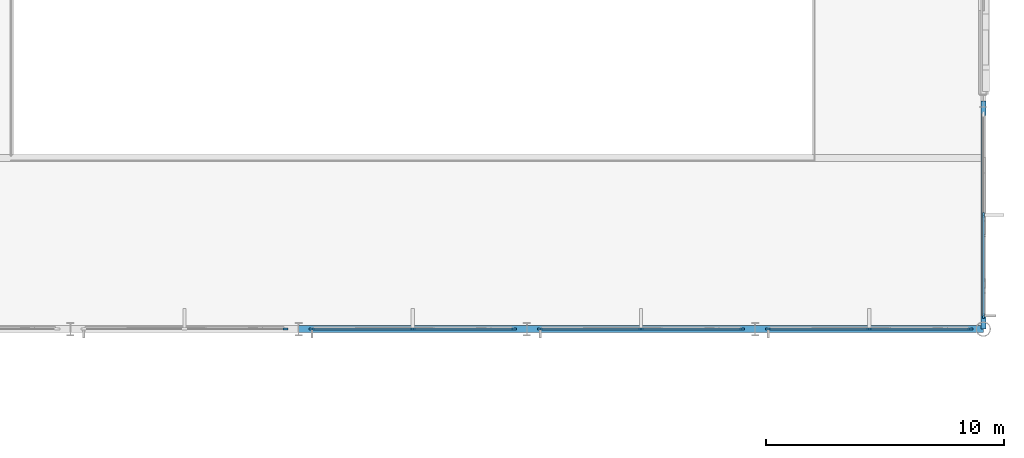
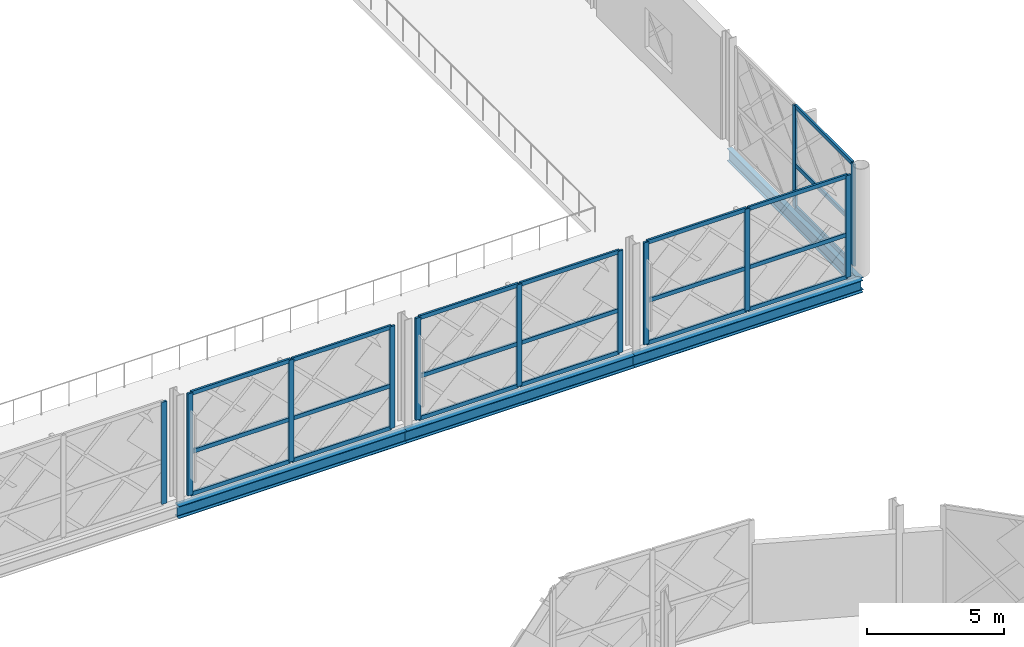
# One storey, part 35 of 77: 33 members, 4 beams, 5 elements without a shape of their own.
"""IFC4 building model written with IfcOpenShell, lengths in metres."""

from ifc_helpers import new_model, si_unit, direction, frame, origin, origin_2d, place, context, subcontext, project, spatial, rectangle, i_section, extrude, material, layer, layer_set, material_profile, profile_set, type_object, element, aggregate, save


model = new_model("IFC4")

# Units and contexts
model_context = context("Model", 3, precision=1e-05, world=origin(), true_north=direction((0.0, 1.0)))
body_context = subcontext(model_context, "Body", "Model", "MODEL_VIEW")
ifc_project = project(units=[si_unit("LENGTHUNIT", "METRE"), si_unit("AREAUNIT", "SQUARE_METRE"), si_unit("VOLUMEUNIT", "CUBIC_METRE"), si_unit("PLANEANGLEUNIT", "RADIAN"), si_unit("MASSUNIT", "GRAM", prefix="KILO")], contexts=[model_context])

# Site, building, storey
site_placement = place(None, origin())
site = spatial("IfcSite", under=ifc_project, at=site_placement, CompositionType="ELEMENT")
building_placement = place(site_placement, origin())
building = spatial("IfcBuilding", under=site, at=building_placement, Name="Zevrakil Square Congress Hotel", CompositionType="ELEMENT")
storey_placement = place(building_placement, frame((0.0, 0.0, 9.89990234375)))
storey = spatial("IfcBuildingStorey", under=building, at=storey_placement, Name="L03", CompositionType="ELEMENT", Elevation=9.89990234375)

# Beams
ifc_material_1 = material(Name="Steel S355", Category="steel")
ifc_material_profile_1 = material_profile(ifc_material_1, i_section(OverallWidth=0.300048828125, OverallDepth=0.5400390625, WebThickness=0.012451171875, FlangeThickness=0.02392578125, FilletRadius=0.027099609375, at=origin_2d()), Name="HEA 550")
ifc_profile_set_1 = profile_set([ifc_material_profile_1], Name="Steel S355")
beam_type_1 = type_object("IfcBeamType", Name="BM-HEA550", PredefinedType="BEAM", material=ifc_profile_set_1)
beam_1_placement = place(storey_placement, frame((136.800048828125, 64.800048828125, -0.52978515625), z_axis=(1.0, 0.0, 0.0), x_axis=(0.0, 1.0, 0.0)))
element("IfcBeam", 1, at=beam_1_placement, inside=storey, type_object=beam_type_1, Name="L03 primary girder BX-1042", PredefinedType="BEAM", context=body_context, shape_type="SweptSolid", body=[
    extrude(i_section(OverallWidth=0.300048828125, OverallDepth=0.5400390625, WebThickness=0.012451171875, FlangeThickness=0.02392578125, FilletRadius=0.027099609375, at=origin_2d()), origin(), (0.0, 0.0, 1.0), 9.599853515625),
])
for number, where, z_axis, x_axis, name in (
    (2, (146.39990234375, 64.800048828125, -0.52978515625), (1.0, 0.0, 0.0), (0.0, 1.0, 0.0), "L03 primary girder BX-1043"),
    (3, (156.0, 64.800048828125, -0.52978515625), (1.0, 0.0, 0.0), (0.0, 1.0, 0.0), "L03 primary girder BX-1044"),
):
    element("IfcBeam", number, at=place(storey_placement, frame(where, z_axis=z_axis, x_axis=x_axis)), inside=storey, type_object=beam_type_1, Name=name, PredefinedType="BEAM", context=body_context, shape_type="SweptSolid", body=[
        extrude(i_section(OverallWidth=0.300048828125, OverallDepth=0.5400390625, WebThickness=0.012451171875, FlangeThickness=0.02392578125, FilletRadius=0.027099609375, at=origin_2d()), origin(), (0.0, 0.0, 1.0), 9.60009765625),
    ])
ifc_material_2 = material(Name="Steel S355", Category="steel")
ifc_material_profile_2 = material_profile(ifc_material_2, i_section(OverallWidth=0.2099609375, OverallDepth=0.550048828125, WebThickness=0.010986328125, FlangeThickness=0.01708984375, FilletRadius=0.02392578125, at=origin_2d()), Name="IPE 550")
ifc_profile_set_2 = profile_set([ifc_material_profile_2], Name="Steel S355")
beam_type_2 = type_object("IfcBeamType", Name="BM-IPE550", PredefinedType="BEAM", material=ifc_profile_set_2)
beam_2_placement = place(storey_placement, frame((165.60009765625, 64.800048828125, -0.534912109375), z_axis=(0.0, 1.0, 0.0), x_axis=(-1.0, 0.0, 0.0)))
element("IfcBeam", 4, at=beam_2_placement, inside=storey, type_object=beam_type_2, Name="L03 primary girder BY-1187", PredefinedType="BEAM", context=body_context, shape_type="SweptSolid", body=[
    extrude(i_section(OverallWidth=0.2099609375, OverallDepth=0.550048828125, WebThickness=0.010986328125, FlangeThickness=0.01708984375, FilletRadius=0.02392578125, at=origin_2d()), origin(), (0.0, 0.0, 1.0), 9.599853515625),
])

# Curtain wall, members
ifc_material_3 = material(Name="Aluminium Anodised Bronze", Category="aluminium")
ifc_layer = layer(ifc_material_3, 0.179931640625)
ifc_layer_set = layer_set([ifc_layer], Name="Aluminium Anodised Bronze")
curtain_wall_type = type_object("IfcCurtainWallType", Name="CW-L03-840", PredefinedType="USERDEFINED", material=ifc_layer_set)
curtain_wall_1_placement = place(storey_placement, origin())
curtain_wall_1 = element("IfcCurtainWall", 5, at=curtain_wall_1_placement, inside=storey, type_object=curtain_wall_type, Name="L03 diamond curtain wall CW-L03-0050", ObjectType="GLAZED CURTAIN WALL", PredefinedType="USERDEFINED")
ifc_material_4 = material(Name="Aluminium Anodised Bronze", Category="aluminium")
ifc_material_profile_3 = material_profile(ifc_material_4, rectangle(XDim=0.0849609375, YDim=0.179931640625, at=origin_2d()), Name="ALU 85x180")
ifc_profile_set_3 = profile_set([ifc_material_profile_3], Name="Aluminium Anodised Bronze")
member_type_1 = type_object("IfcMemberType", Name="CWM-ALU85x180", PredefinedType="USERDEFINED", material=ifc_profile_set_3)
member_1_placement = place(storey_placement, frame((165.60009765625, 65.3798828125, 0.030029296875), z_axis=(0.0, 1.0, 0.0), x_axis=(-1.0, 0.0, 0.0)))
member_1 = element("IfcMember", 6, at=member_1_placement, type_object=member_type_1, Name="CW-35 transom 1.1", ObjectType="TRANSOM", PredefinedType="USERDEFINED", context=body_context, shape_type="SweptSolid", body=[
    extrude(rectangle(XDim=0.0849609375, YDim=0.179931640625, at=origin_2d()), origin(), (0.0, 0.0, 1.0), 4.190185546875),
])
member_2_placement = place(storey_placement, frame((165.60009765625, 65.3798828125, 1.906982421875), z_axis=(0.0, 1.0, 0.0), x_axis=(-1.0, 0.0, 0.0)))
member_2 = element("IfcMember", 7, at=member_2_placement, type_object=member_type_1, Name="CW-35 transom 1.2", ObjectType="TRANSOM", PredefinedType="USERDEFINED", context=body_context, shape_type="SweptSolid", body=[
    extrude(rectangle(XDim=0.0849609375, YDim=0.179931640625, at=origin_2d()), origin(), (0.0, 0.0, 1.0), 4.190185546875),
])
member_3_placement = place(storey_placement, frame((165.60009765625, 65.3798828125, 4.510009765625), z_axis=(0.0, 1.0, 0.0), x_axis=(-1.0, 0.0, 0.0)))
member_3 = element("IfcMember", 8, at=member_3_placement, type_object=member_type_1, Name="CW-35 transom 1.3", ObjectType="TRANSOM", PredefinedType="USERDEFINED", context=body_context, shape_type="SweptSolid", body=[
    extrude(rectangle(XDim=0.0849609375, YDim=0.179931640625, at=origin_2d()), origin(), (0.0, 0.0, 1.0), 4.190185546875),
])

curtain_wall_2_placement = place(storey_placement, origin())
curtain_wall_2 = element("IfcCurtainWall", 9, at=curtain_wall_2_placement, inside=storey, type_object=curtain_wall_type, Name="L03 diamond curtain wall CW-L03-0062", ObjectType="GLAZED CURTAIN WALL", PredefinedType="USERDEFINED")
member_4_placement = place(storey_placement, frame((137.3798828125, 64.800048828125, 0.030029296875), z_axis=(1.0, 0.0, 0.0), x_axis=(0.0, 1.0, 0.0)))
member_4 = element("IfcMember", 10, at=member_4_placement, type_object=member_type_1, Name="CW-35 transom 1.1", ObjectType="TRANSOM", PredefinedType="USERDEFINED", context=body_context, shape_type="SweptSolid", body=[
    extrude(rectangle(XDim=0.0849609375, YDim=0.179931640625, at=origin_2d()), origin(), (0.0, 0.0, 1.0), 4.190185546875),
])
member_5_placement = place(storey_placement, frame((137.3798828125, 64.800048828125, 1.906982421875), z_axis=(1.0, 0.0, 0.0), x_axis=(0.0, 1.0, 0.0)))
member_5 = element("IfcMember", 11, at=member_5_placement, type_object=member_type_1, Name="CW-35 transom 1.2", ObjectType="TRANSOM", PredefinedType="USERDEFINED", context=body_context, shape_type="SweptSolid", body=[
    extrude(rectangle(XDim=0.0849609375, YDim=0.179931640625, at=origin_2d()), origin(), (0.0, 0.0, 1.0), 4.190185546875),
])
member_6_placement = place(storey_placement, frame((137.3798828125, 64.800048828125, 4.510009765625), z_axis=(1.0, 0.0, 0.0), x_axis=(0.0, 1.0, 0.0)))
member_6 = element("IfcMember", 12, at=member_6_placement, type_object=member_type_1, Name="CW-35 transom 1.3", ObjectType="TRANSOM", PredefinedType="USERDEFINED", context=body_context, shape_type="SweptSolid", body=[
    extrude(rectangle(XDim=0.0849609375, YDim=0.179931640625, at=origin_2d()), origin(), (0.0, 0.0, 1.0), 4.190185546875),
])
member_7_placement = place(storey_placement, frame((141.6298828125, 64.800048828125, 0.030029296875), z_axis=(1.0, 0.0, 0.0), x_axis=(0.0, 1.0, 0.0)))
member_7 = element("IfcMember", 13, at=member_7_placement, type_object=member_type_1, Name="CW-35 transom 2.1", ObjectType="TRANSOM", PredefinedType="USERDEFINED", context=body_context, shape_type="SweptSolid", body=[
    extrude(rectangle(XDim=0.0849609375, YDim=0.179931640625, at=origin_2d()), origin(), (0.0, 0.0, 1.0), 4.190185546875),
])
member_8_placement = place(storey_placement, frame((141.6298828125, 64.800048828125, 1.906982421875), z_axis=(1.0, 0.0, 0.0), x_axis=(0.0, 1.0, 0.0)))
member_8 = element("IfcMember", 14, at=member_8_placement, type_object=member_type_1, Name="CW-35 transom 2.2", ObjectType="TRANSOM", PredefinedType="USERDEFINED", context=body_context, shape_type="SweptSolid", body=[
    extrude(rectangle(XDim=0.0849609375, YDim=0.179931640625, at=origin_2d()), origin(), (0.0, 0.0, 1.0), 4.190185546875),
])
member_9_placement = place(storey_placement, frame((141.6298828125, 64.800048828125, 4.510009765625), z_axis=(1.0, 0.0, 0.0), x_axis=(0.0, 1.0, 0.0)))
member_9 = element("IfcMember", 15, at=member_9_placement, type_object=member_type_1, Name="CW-35 transom 2.3", ObjectType="TRANSOM", PredefinedType="USERDEFINED", context=body_context, shape_type="SweptSolid", body=[
    extrude(rectangle(XDim=0.0849609375, YDim=0.179931640625, at=origin_2d()), origin(), (0.0, 0.0, 1.0), 4.190185546875),
])

curtain_wall_3_placement = place(storey_placement, origin())
curtain_wall_3 = element("IfcCurtainWall", 16, at=curtain_wall_3_placement, inside=storey, type_object=curtain_wall_type, Name="L03 diamond curtain wall CW-L03-0064", ObjectType="GLAZED CURTAIN WALL", PredefinedType="USERDEFINED")
member_10_placement = place(storey_placement, frame((146.97998046875, 64.800048828125, 0.030029296875), z_axis=(1.0, 0.0, 0.0), x_axis=(0.0, 1.0, 0.0)))
member_10 = element("IfcMember", 17, at=member_10_placement, type_object=member_type_1, Name="CW-35 transom 1.1", ObjectType="TRANSOM", PredefinedType="USERDEFINED", context=body_context, shape_type="SweptSolid", body=[
    extrude(rectangle(XDim=0.0849609375, YDim=0.179931640625, at=origin_2d()), origin(), (0.0, 0.0, 1.0), 4.18994140625),
])
member_11_placement = place(storey_placement, frame((146.97998046875, 64.800048828125, 1.906982421875), z_axis=(1.0, 0.0, 0.0), x_axis=(0.0, 1.0, 0.0)))
member_11 = element("IfcMember", 18, at=member_11_placement, type_object=member_type_1, Name="CW-35 transom 1.2", ObjectType="TRANSOM", PredefinedType="USERDEFINED", context=body_context, shape_type="SweptSolid", body=[
    extrude(rectangle(XDim=0.0849609375, YDim=0.179931640625, at=origin_2d()), origin(), (0.0, 0.0, 1.0), 4.18994140625),
])
member_12_placement = place(storey_placement, frame((146.97998046875, 64.800048828125, 4.510009765625), z_axis=(1.0, 0.0, 0.0), x_axis=(0.0, 1.0, 0.0)))
member_12 = element("IfcMember", 19, at=member_12_placement, type_object=member_type_1, Name="CW-35 transom 1.3", ObjectType="TRANSOM", PredefinedType="USERDEFINED", context=body_context, shape_type="SweptSolid", body=[
    extrude(rectangle(XDim=0.0849609375, YDim=0.179931640625, at=origin_2d()), origin(), (0.0, 0.0, 1.0), 4.18994140625),
])
member_13_placement = place(storey_placement, frame((151.22998046875, 64.800048828125, 0.030029296875), z_axis=(1.0, 0.0, 0.0), x_axis=(0.0, 1.0, 0.0)))
member_13 = element("IfcMember", 20, at=member_13_placement, type_object=member_type_1, Name="CW-35 transom 2.1", ObjectType="TRANSOM", PredefinedType="USERDEFINED", context=body_context, shape_type="SweptSolid", body=[
    extrude(rectangle(XDim=0.0849609375, YDim=0.179931640625, at=origin_2d()), origin(), (0.0, 0.0, 1.0), 4.18994140625),
])
member_14_placement = place(storey_placement, frame((151.22998046875, 64.800048828125, 1.906982421875), z_axis=(1.0, 0.0, 0.0), x_axis=(0.0, 1.0, 0.0)))
member_14 = element("IfcMember", 21, at=member_14_placement, type_object=member_type_1, Name="CW-35 transom 2.2", ObjectType="TRANSOM", PredefinedType="USERDEFINED", context=body_context, shape_type="SweptSolid", body=[
    extrude(rectangle(XDim=0.0849609375, YDim=0.179931640625, at=origin_2d()), origin(), (0.0, 0.0, 1.0), 4.18994140625),
])
member_15_placement = place(storey_placement, frame((151.22998046875, 64.800048828125, 4.510009765625), z_axis=(1.0, 0.0, 0.0), x_axis=(0.0, 1.0, 0.0)))
member_15 = element("IfcMember", 22, at=member_15_placement, type_object=member_type_1, Name="CW-35 transom 2.3", ObjectType="TRANSOM", PredefinedType="USERDEFINED", context=body_context, shape_type="SweptSolid", body=[
    extrude(rectangle(XDim=0.0849609375, YDim=0.179931640625, at=origin_2d()), origin(), (0.0, 0.0, 1.0), 4.18994140625),
])

curtain_wall_4_placement = place(storey_placement, origin())
curtain_wall_4 = element("IfcCurtainWall", 23, at=curtain_wall_4_placement, inside=storey, type_object=curtain_wall_type, Name="L03 diamond curtain wall CW-L03-0066", ObjectType="GLAZED CURTAIN WALL", PredefinedType="USERDEFINED")
member_16_placement = place(storey_placement, frame((156.580078125, 64.800048828125, 0.030029296875), z_axis=(1.0, 0.0, 0.0), x_axis=(0.0, 1.0, 0.0)))
member_16 = element("IfcMember", 24, at=member_16_placement, type_object=member_type_1, Name="CW-35 transom 1.1", ObjectType="TRANSOM", PredefinedType="USERDEFINED", context=body_context, shape_type="SweptSolid", body=[
    extrude(rectangle(XDim=0.0849609375, YDim=0.179931640625, at=origin_2d()), origin(), (0.0, 0.0, 1.0), 4.18994140625),
])
member_17_placement = place(storey_placement, frame((156.580078125, 64.800048828125, 1.906982421875), z_axis=(1.0, 0.0, 0.0), x_axis=(0.0, 1.0, 0.0)))
member_17 = element("IfcMember", 25, at=member_17_placement, type_object=member_type_1, Name="CW-35 transom 1.2", ObjectType="TRANSOM", PredefinedType="USERDEFINED", context=body_context, shape_type="SweptSolid", body=[
    extrude(rectangle(XDim=0.0849609375, YDim=0.179931640625, at=origin_2d()), origin(), (0.0, 0.0, 1.0), 4.18994140625),
])
member_18_placement = place(storey_placement, frame((156.580078125, 64.800048828125, 4.510009765625), z_axis=(1.0, 0.0, 0.0), x_axis=(0.0, 1.0, 0.0)))
member_18 = element("IfcMember", 26, at=member_18_placement, type_object=member_type_1, Name="CW-35 transom 1.3", ObjectType="TRANSOM", PredefinedType="USERDEFINED", context=body_context, shape_type="SweptSolid", body=[
    extrude(rectangle(XDim=0.0849609375, YDim=0.179931640625, at=origin_2d()), origin(), (0.0, 0.0, 1.0), 4.18994140625),
])
member_19_placement = place(storey_placement, frame((160.830078125, 64.800048828125, 0.030029296875), z_axis=(1.0, 0.0, 0.0), x_axis=(0.0, 1.0, 0.0)))
member_19 = element("IfcMember", 27, at=member_19_placement, type_object=member_type_1, Name="CW-35 transom 2.1", ObjectType="TRANSOM", PredefinedType="USERDEFINED", context=body_context, shape_type="SweptSolid", body=[
    extrude(rectangle(XDim=0.0849609375, YDim=0.179931640625, at=origin_2d()), origin(), (0.0, 0.0, 1.0), 4.18994140625),
])
member_20_placement = place(storey_placement, frame((160.830078125, 64.800048828125, 1.906982421875), z_axis=(1.0, 0.0, 0.0), x_axis=(0.0, 1.0, 0.0)))
member_20 = element("IfcMember", 28, at=member_20_placement, type_object=member_type_1, Name="CW-35 transom 2.2", ObjectType="TRANSOM", PredefinedType="USERDEFINED", context=body_context, shape_type="SweptSolid", body=[
    extrude(rectangle(XDim=0.0849609375, YDim=0.179931640625, at=origin_2d()), origin(), (0.0, 0.0, 1.0), 4.18994140625),
])
member_21_placement = place(storey_placement, frame((160.830078125, 64.800048828125, 4.510009765625), z_axis=(1.0, 0.0, 0.0), x_axis=(0.0, 1.0, 0.0)))
member_21 = element("IfcMember", 29, at=member_21_placement, type_object=member_type_1, Name="CW-35 transom 2.3", ObjectType="TRANSOM", PredefinedType="USERDEFINED", context=body_context, shape_type="SweptSolid", body=[
    extrude(rectangle(XDim=0.0849609375, YDim=0.179931640625, at=origin_2d()), origin(), (0.0, 0.0, 1.0), 4.18994140625),
])

# Member
ifc_material_5 = material(Name="Aluminium Anodised Bronze", Category="aluminium")
ifc_material_profile_4 = material_profile(ifc_material_5, rectangle(XDim=0.0849609375, YDim=0.219970703125, at=origin_2d()), Name="ALU 85x220")
ifc_profile_set_4 = profile_set([ifc_material_profile_4], Name="Aluminium Anodised Bronze")
member_type_2 = type_object("IfcMemberType", Name="CWM-ALU85x220", PredefinedType="MULLION", material=ifc_profile_set_4)
member_22_placement = place(storey_placement, frame((165.60009765625, 65.35009765625, 0.0), z_axis=(0.0, 0.0, 1.0), x_axis=(-1.0, 0.0, 0.0)))
member_22 = element("IfcMember", 30, at=member_22_placement, type_object=member_type_2, Name="CW-35 mullion 1", PredefinedType="MULLION", context=body_context, shape_type="SweptSolid", body=[
    extrude(rectangle(XDim=0.0849609375, YDim=0.219970703125, at=origin_2d()), origin(), (0.0, 0.0, 1.0), 4.5400390625),
])

member_23_placement = place(storey_placement, frame((165.60009765625, 69.60009765625, 0.0), z_axis=(0.0, 0.0, 1.0), x_axis=(-1.0, 0.0, 0.0)))
member_23 = element("IfcMember", 31, at=member_23_placement, type_object=member_type_2, Name="CW-35 mullion 2", PredefinedType="MULLION", context=body_context, shape_type="SweptSolid", body=[
    extrude(rectangle(XDim=0.0849609375, YDim=0.219970703125, at=origin_2d()), origin(), (0.0, 0.0, 1.0), 4.5400390625),
])

aggregate(curtain_wall_1, [member_22, member_23, member_1, member_2, member_3])

# Curtain wall, member
curtain_wall_5_placement = place(storey_placement, origin())
curtain_wall_5 = element("IfcCurtainWall", 32, at=curtain_wall_5_placement, inside=storey, type_object=curtain_wall_type, Name="L03 diamond curtain wall CW-L03-0060", ObjectType="GLAZED CURTAIN WALL", PredefinedType="USERDEFINED")
member_24_placement = place(storey_placement, frame((136.25, 64.800048828125, 0.0), z_axis=(0.0, 0.0, 1.0), x_axis=(0.0, 1.0, 0.0)))
member_24 = element("IfcMember", 33, at=member_24_placement, type_object=member_type_2, Name="CW-35 mullion 3", PredefinedType="MULLION", context=body_context, shape_type="SweptSolid", body=[
    extrude(rectangle(XDim=0.0849609375, YDim=0.219970703125, at=origin_2d()), origin(), (0.0, 0.0, 1.0), 4.5400390625),
])
aggregate(curtain_wall_5, [member_24])

# Member
member_25_placement = place(storey_placement, frame((137.35009765625, 64.800048828125, 0.0), z_axis=(0.0, 0.0, 1.0), x_axis=(0.0, 1.0, 0.0)))
member_25 = element("IfcMember", 34, at=member_25_placement, type_object=member_type_2, Name="CW-35 mullion 1", PredefinedType="MULLION", context=body_context, shape_type="SweptSolid", body=[
    extrude(rectangle(XDim=0.0849609375, YDim=0.219970703125, at=origin_2d()), origin(), (0.0, 0.0, 1.0), 4.5400390625),
])

member_26_placement = place(storey_placement, frame((141.60009765625, 64.800048828125, 0.0), z_axis=(0.0, 0.0, 1.0), x_axis=(0.0, 1.0, 0.0)))
member_26 = element("IfcMember", 35, at=member_26_placement, type_object=member_type_2, Name="CW-35 mullion 2", PredefinedType="MULLION", context=body_context, shape_type="SweptSolid", body=[
    extrude(rectangle(XDim=0.0849609375, YDim=0.219970703125, at=origin_2d()), origin(), (0.0, 0.0, 1.0), 4.5400390625),
])

member_27_placement = place(storey_placement, frame((145.85009765625, 64.800048828125, 0.0), z_axis=(0.0, 0.0, 1.0), x_axis=(0.0, 1.0, 0.0)))
member_27 = element("IfcMember", 36, at=member_27_placement, type_object=member_type_2, Name="CW-35 mullion 3", PredefinedType="MULLION", context=body_context, shape_type="SweptSolid", body=[
    extrude(rectangle(XDim=0.0849609375, YDim=0.219970703125, at=origin_2d()), origin(), (0.0, 0.0, 1.0), 4.5400390625),
])

aggregate(curtain_wall_2, [member_25, member_26, member_27, member_4, member_5, member_6, member_7, member_8, member_9])

member_28_placement = place(storey_placement, frame((146.949951171875, 64.800048828125, 0.0), z_axis=(0.0, 0.0, 1.0), x_axis=(0.0, 1.0, 0.0)))
member_28 = element("IfcMember", 37, at=member_28_placement, type_object=member_type_2, Name="CW-35 mullion 1", PredefinedType="MULLION", context=body_context, shape_type="SweptSolid", body=[
    extrude(rectangle(XDim=0.0849609375, YDim=0.219970703125, at=origin_2d()), origin(), (0.0, 0.0, 1.0), 4.5400390625),
])

member_29_placement = place(storey_placement, frame((151.199951171875, 64.800048828125, 0.0), z_axis=(0.0, 0.0, 1.0), x_axis=(0.0, 1.0, 0.0)))
member_29 = element("IfcMember", 38, at=member_29_placement, type_object=member_type_2, Name="CW-35 mullion 2", PredefinedType="MULLION", context=body_context, shape_type="SweptSolid", body=[
    extrude(rectangle(XDim=0.0849609375, YDim=0.219970703125, at=origin_2d()), origin(), (0.0, 0.0, 1.0), 4.5400390625),
])

member_30_placement = place(storey_placement, frame((155.449951171875, 64.800048828125, 0.0), z_axis=(0.0, 0.0, 1.0), x_axis=(0.0, 1.0, 0.0)))
member_30 = element("IfcMember", 39, at=member_30_placement, type_object=member_type_2, Name="CW-35 mullion 3", PredefinedType="MULLION", context=body_context, shape_type="SweptSolid", body=[
    extrude(rectangle(XDim=0.0849609375, YDim=0.219970703125, at=origin_2d()), origin(), (0.0, 0.0, 1.0), 4.5400390625),
])

aggregate(curtain_wall_3, [member_28, member_29, member_30, member_10, member_11, member_12, member_13, member_14, member_15])

member_31_placement = place(storey_placement, frame((156.550048828125, 64.800048828125, 0.0), z_axis=(0.0, 0.0, 1.0), x_axis=(0.0, 1.0, 0.0)))
member_31 = element("IfcMember", 40, at=member_31_placement, type_object=member_type_2, Name="CW-35 mullion 1", PredefinedType="MULLION", context=body_context, shape_type="SweptSolid", body=[
    extrude(rectangle(XDim=0.0849609375, YDim=0.219970703125, at=origin_2d()), origin(), (0.0, 0.0, 1.0), 4.5400390625),
])

member_32_placement = place(storey_placement, frame((160.800048828125, 64.800048828125, 0.0), z_axis=(0.0, 0.0, 1.0), x_axis=(0.0, 1.0, 0.0)))
member_32 = element("IfcMember", 41, at=member_32_placement, type_object=member_type_2, Name="CW-35 mullion 2", PredefinedType="MULLION", context=body_context, shape_type="SweptSolid", body=[
    extrude(rectangle(XDim=0.0849609375, YDim=0.219970703125, at=origin_2d()), origin(), (0.0, 0.0, 1.0), 4.5400390625),
])

member_33_placement = place(storey_placement, frame((165.050048828125, 64.800048828125, 0.0), z_axis=(0.0, 0.0, 1.0), x_axis=(0.0, 1.0, 0.0)))
member_33 = element("IfcMember", 42, at=member_33_placement, type_object=member_type_2, Name="CW-35 mullion 3", PredefinedType="MULLION", context=body_context, shape_type="SweptSolid", body=[
    extrude(rectangle(XDim=0.0849609375, YDim=0.219970703125, at=origin_2d()), origin(), (0.0, 0.0, 1.0), 4.5400390625),
])

aggregate(curtain_wall_4, [member_31, member_32, member_33, member_16, member_17, member_18, member_19, member_20, member_21])

save(model, "model.ifc")
